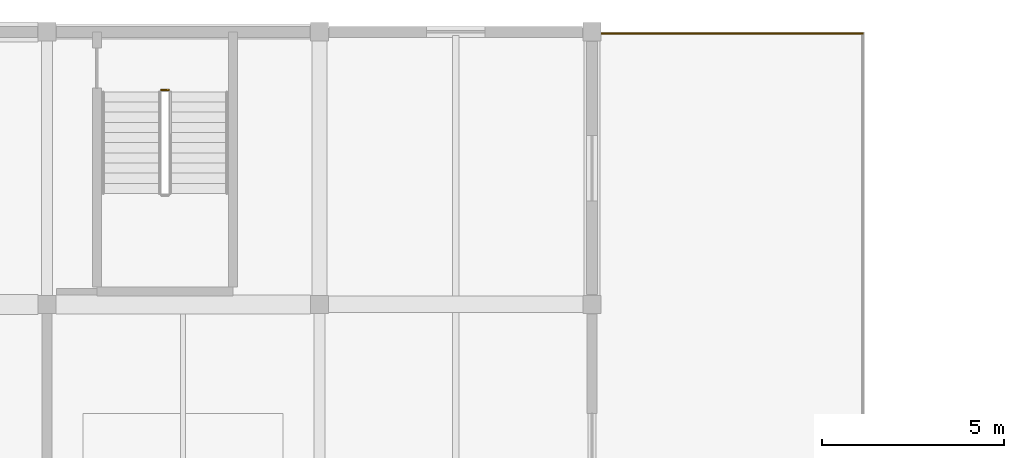
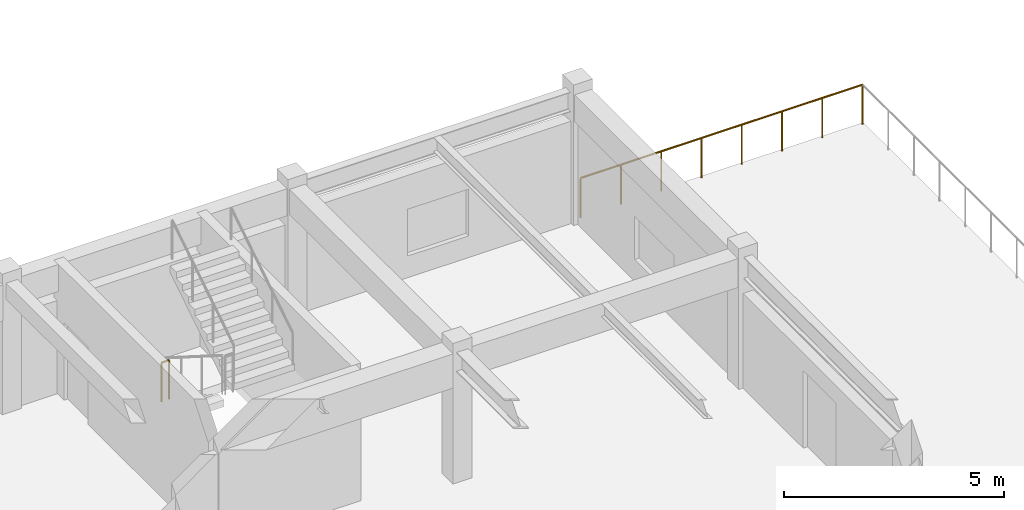
# One storey, part 81 of 82: 2 railings.
"""IFC4 building model written with IfcOpenShell, lengths in metres."""

from ifc_helpers import new_model, si_unit, direction, frame, origin, origin_2d, place, context, subcontext, project, spatial, circle, extrude, material, layer, layer_set, type_object, element, save


model = new_model("IFC4")

# Units and contexts
model_context = context("Model", 3, precision=1e-05, world=origin(), true_north=direction((0.0, 1.0)))
body_context = subcontext(model_context, "Body", "Model", "MODEL_VIEW")
ifc_project = project(units=[si_unit("LENGTHUNIT", "METRE"), si_unit("AREAUNIT", "SQUARE_METRE"), si_unit("VOLUMEUNIT", "CUBIC_METRE"), si_unit("PLANEANGLEUNIT", "RADIAN"), si_unit("MASSUNIT", "GRAM", prefix="KILO")], contexts=[model_context])

# Site, building, storey
site_placement = place(None, origin())
site = spatial("IfcSite", under=ifc_project, at=site_placement, CompositionType="ELEMENT")
building_placement = place(site_placement, origin())
building = spatial("IfcBuilding", under=site, at=building_placement, Name="Qasida Concert Hall", CompositionType="ELEMENT")
storey_placement = place(building_placement, frame((0.0, 0.0, 17.10009765625)))
storey = spatial("IfcBuildingStorey", under=building, at=storey_placement, Name="L04", CompositionType="ELEMENT", Elevation=17.10009765625)

# Railings
ifc_material = material(Name="Patinated architectural bronze and laminated glass infill", Category="glass")
ifc_layer = layer(ifc_material, 0.080078125, Name="Patinated architectural bronze and laminated glass infill")
ifc_layer_set = layer_set([ifc_layer], Name="Patinated architectural bronze and laminated glass infill")
railing_type = type_object("IfcRailingType", Name="RL-GRD-1100", PredefinedType="GUARDRAIL", material=ifc_layer_set)
railing_1_placement = place(storey_placement, frame((37.449951171875, 112.449951171875, 0.0)))
element("IfcRailing", 1, at=railing_1_placement, inside=storey, type_object=railing_type, Name="L04 Ziggurat L04 terrace guardrail 0010", PredefinedType="GUARDRAIL", context=body_context, shape_type="SweptSolid", body=[
    extrude(circle(Radius=0.02392578125, at=origin_2d()), frame((0.0, 0.0, 1.09619140625), z_axis=(-1.0, 0.0, 0.0), x_axis=(0.0, -1.0, 0.0)), (0.0, 0.0, 1.0), 7.39990234375),
    extrude(circle(Radius=0.02099609375, at=origin_2d()), origin(), (0.0, 0.0, 1.0), 1.072021484375),
    extrude(circle(Radius=0.02099609375, at=origin_2d()), frame((-1.05712890625, 0.0, 0.0)), (0.0, 0.0, 1.0), 1.072021484375),
    extrude(circle(Radius=0.02099609375, at=origin_2d()), frame((-2.1142578125, 0.0, 0.0)), (0.0, 0.0, 1.0), 1.072021484375),
    extrude(circle(Radius=0.02099609375, at=origin_2d()), frame((-3.17138671875, 0.0, 0.0)), (0.0, 0.0, 1.0), 1.072021484375),
    extrude(circle(Radius=0.02099609375, at=origin_2d()), frame((-4.228515625, 0.0, 0.0)), (0.0, 0.0, 1.0), 1.072021484375),
    extrude(circle(Radius=0.02099609375, at=origin_2d()), frame((-5.28564453125, 0.0, 0.0)), (0.0, 0.0, 1.0), 1.072021484375),
    extrude(circle(Radius=0.02099609375, at=origin_2d()), frame((-6.3427734375, 0.0, 0.0)), (0.0, 0.0, 1.0), 1.072021484375),
    extrude(circle(Radius=0.02099609375, at=origin_2d()), frame((-7.39990234375, 0.0, 0.0)), (0.0, 0.0, 1.0), 1.072021484375),
])
railing_2_placement = place(storey_placement, frame((18.14990234375, 110.89990234375, 0.0)))
element("IfcRailing", 2, at=railing_2_placement, inside=storey, type_object=railing_type, Name="L04 ST-06 stair guard 4", PredefinedType="GUARDRAIL", context=body_context, shape_type="SweptSolid", body=[
    extrude(circle(Radius=0.02392578125, at=origin_2d()), frame((0.0, 0.0, 1.076171875), z_axis=(1.0, 0.0, 0.0), x_axis=(0.0, 1.0, 0.0)), (0.0, 0.0, 1.0), 0.2001953125),
    extrude(circle(Radius=0.02099609375, at=origin_2d()), origin(), (0.0, 0.0, 1.0), 1.052001953125),
    extrude(circle(Radius=0.02099609375, at=origin_2d()), frame((0.2001953125, 0.0, 0.0)), (0.0, 0.0, 1.0), 1.052001953125),
])

save(model, "model.ifc")
